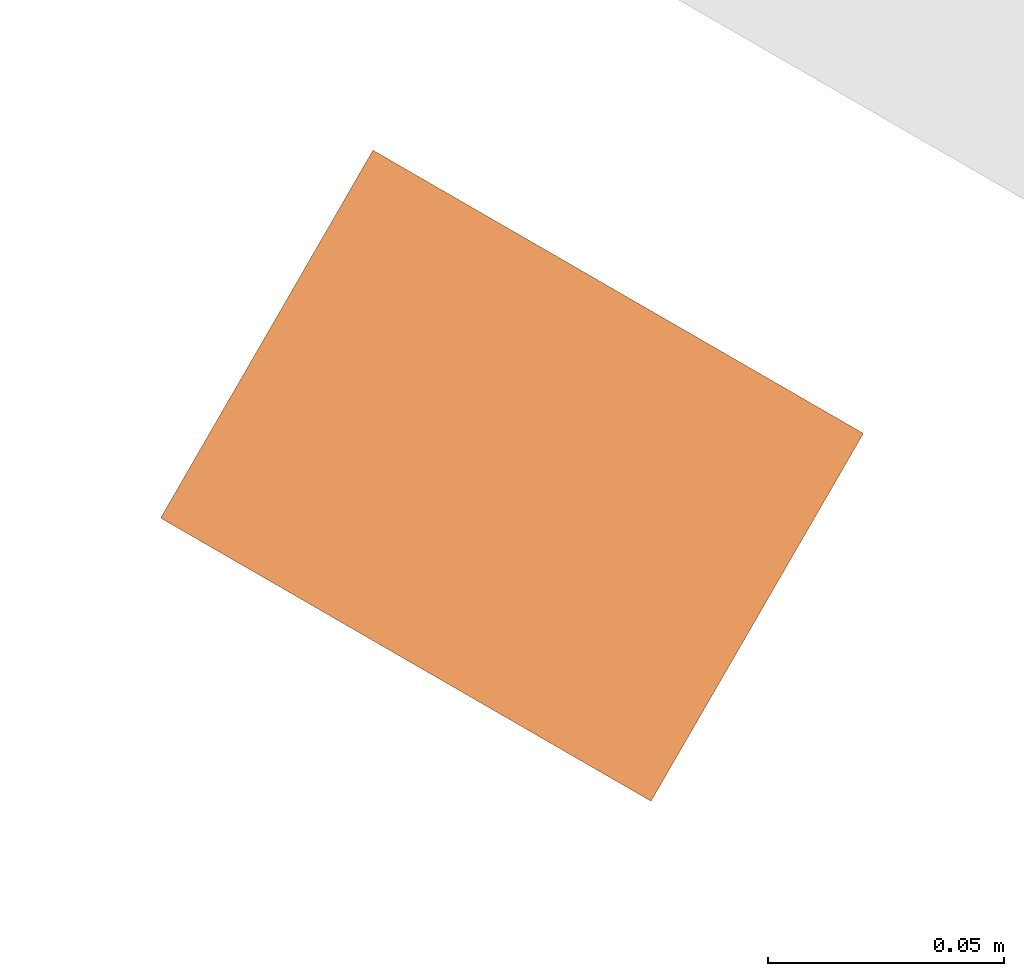
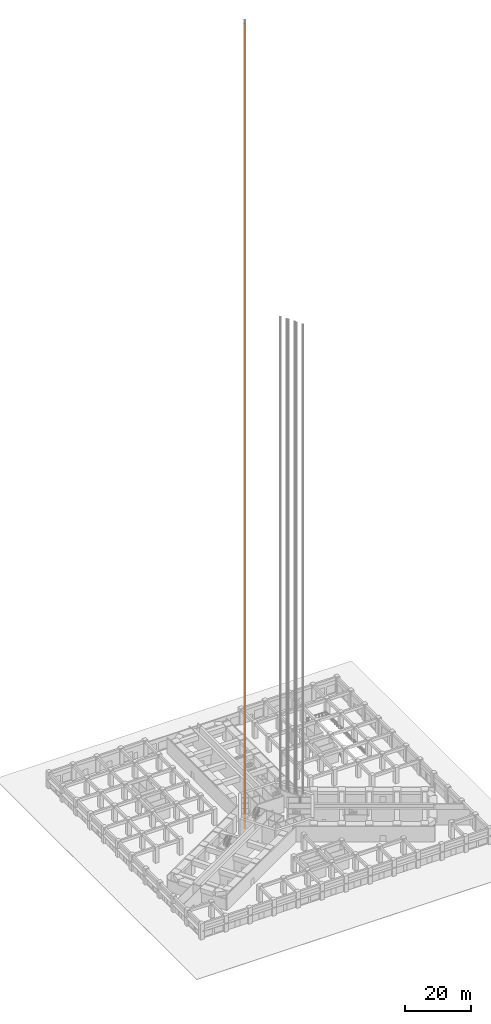
# One storey, part 30 of 33: 1 proxy.
"""IFC4 building model written with IfcOpenShell, lengths in metres."""

from ifc_helpers import new_model, si_unit, direction, frame, origin, origin_2d, place, context, subcontext, project, spatial, rectangle, extrude, material, type_object, element, save


model = new_model("IFC4")

# Units and contexts
model_context = context("Model", 3, precision=1e-05, world=origin(), true_north=direction((0.0, 1.0)))
body_context = subcontext(model_context, "Body", "Model", "MODEL_VIEW")
ifc_project = project(units=[si_unit("LENGTHUNIT", "METRE"), si_unit("AREAUNIT", "SQUARE_METRE"), si_unit("VOLUMEUNIT", "CUBIC_METRE"), si_unit("PLANEANGLEUNIT", "RADIAN"), si_unit("MASSUNIT", "GRAM", prefix="KILO")], contexts=[model_context])

# Site, building, storey
site_placement = place(None, origin())
site = spatial("IfcSite", under=ifc_project, at=site_placement, CompositionType="ELEMENT")
building_placement = place(site_placement, origin())
building = spatial("IfcBuilding", under=site, at=building_placement, Name="Impinga Residences", CompositionType="ELEMENT")
storey_placement = place(building_placement, origin())
storey = spatial("IfcBuildingStorey", under=building, at=storey_placement, Name="L00", CompositionType="ELEMENT", Elevation=0.0)

# Proxy
ifc_material = material(Name="Steel lift guide rail, galvanised", Category="steel")
building_element_proxy_type = type_object("IfcBuildingElementProxyType", Name="LGR lift guide rail", PredefinedType="USERDEFINED", material=ifc_material)
proxy_placement = place(storey_placement, frame((-7.277099609375, 6.15869140625, -3.5), z_axis=(0.0, 0.0, 1.0), x_axis=(-0.5, -0.866025403784, 0.0)))
element("IfcBuildingElementProxy", 1, at=proxy_placement, inside=storey, type_object=building_element_proxy_type, Name="Guide rail P9 2", ObjectType="Lift guide rail", PredefinedType="USERDEFINED", context=body_context, shape_type="SweptSolid", body=[
    extrude(rectangle(XDim=0.090087890625, YDim=0.1201171875, at=origin_2d()), origin(), (0.0, 0.0, 1.0), 297.449951171875),
])

save(model, "model.ifc")
